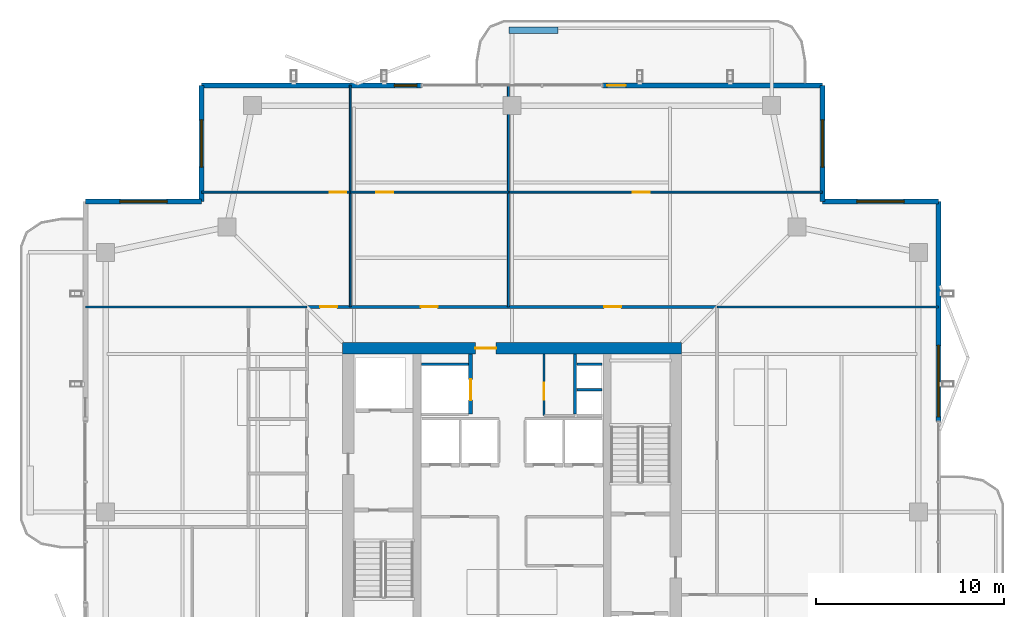
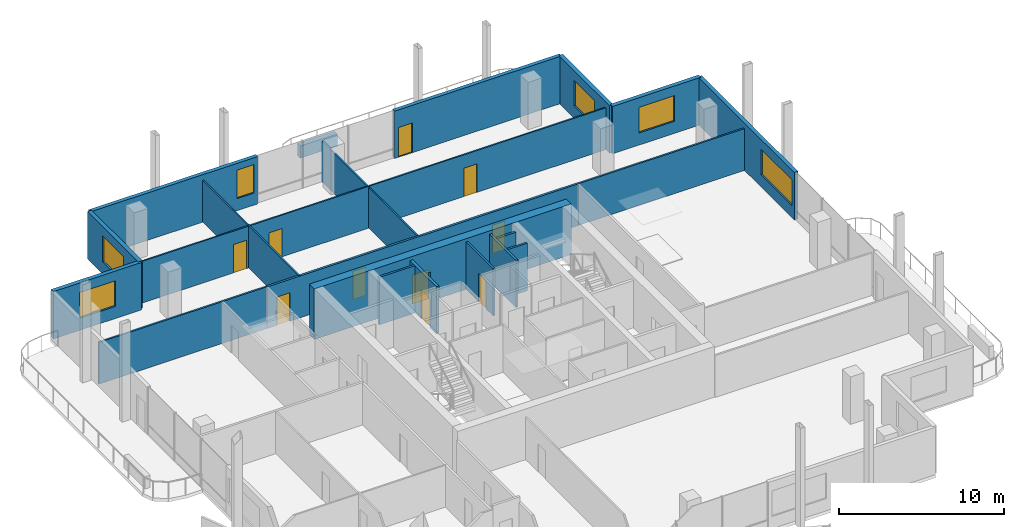
# One storey, part 16 of 20: 23 walls, 10 doors, 6 windows, 16 openings.
"""IFC4 building model written with IfcOpenShell, lengths in metres."""

import ifcopenshell
import ifcopenshell.guid

model = None  # the IFC model being written
_history = None  # IfcOwnerHistory: only IFC2X3 demands one
_inside = {}  # id of a spatial element -> (the spatial element, [elements in it])
_under = {}  # id of a project, library or spatial element -> (it, [spatial elements below it])
_declared = {}  # id of a project -> (the project, [libraries it declares])
_typed = {}  # id of a type object -> (the type object, [elements of that type])
_made_of = {}  # id of a material, layer set ... -> (it, [elements and type objects made of it])


def new_model(schema):
    """Start an empty IFC model of exactly this schema.

    Asked for "IFC4X3", IfcOpenShell would pick the latest addendum, in which some entities
    have other attributes; the version numbers below select the first issue.
    IFC2X3 requires an IfcOwnerHistory on every rooted entity: one is made here for all.
    """
    global model, _history
    if schema == "IFC4X3":
        model = ifcopenshell.file(schema_version=(4, 3, 0, 0))
    else:
        model = ifcopenshell.file(schema=schema)
    _inside.clear()
    _under.clear()
    _declared.clear()
    _typed.clear()
    _made_of.clear()
    _history = None
    if model.schema == "IFC2X3":
        org = make("IfcOrganization", Name="unknown")
        user = make(
            "IfcPersonAndOrganization",
            ThePerson=make("IfcPerson", FamilyName="unknown"),
            TheOrganization=org,
        )
        app = make(
            "IfcApplication",
            ApplicationDeveloper=org,
            Version="unknown",
            ApplicationFullName="unknown",
            ApplicationIdentifier="unknown",
        )
        _history = make(
            "IfcOwnerHistory",
            OwningUser=user,
            OwningApplication=app,
            ChangeAction="ADDED",
            CreationDate=0,
        )
    return model


def make(cls, **values):
    """One entity of the class cls with the attributes given. An attribute that is None is left unset."""
    return model.create_entity(
        cls, **{name: value for name, value in values.items() if value is not None}
    )


def rooted(cls, **values):
    """An entity with a GlobalId (a new one), such as an element, a storey or a relation."""
    return make(cls, GlobalId=ifcopenshell.guid.new(), OwnerHistory=_history, **values)


def si_unit(unit_type, name, prefix=None):
    """IfcSIUnit, for example si_unit("LENGTHUNIT", "METRE", prefix="MILLI")."""
    return make("IfcSIUnit", UnitType=unit_type, Prefix=prefix, Name=name)


def assignment(units):
    """IfcUnitAssignment: the units of a project."""
    return None if units is None else make("IfcUnitAssignment", Units=units)


def point(xyz):
    """IfcCartesianPoint."""
    return None if xyz is None else make("IfcCartesianPoint", Coordinates=xyz)


def direction(xyz):
    """IfcDirection."""
    return None if xyz is None else make("IfcDirection", DirectionRatios=xyz)


def frame(location, z_axis=None, x_axis=None):
    """IfcAxis2Placement3D, a coordinate frame: its origin and axes. An axis left out is left unset."""
    return make(
        "IfcAxis2Placement3D",
        Location=point(location),
        Axis=direction(z_axis),
        RefDirection=direction(x_axis),
    )


def frame_2d(location, x_axis=None):
    """IfcAxis2Placement2D, a coordinate frame in the plane: its origin and x axis."""
    return make(
        "IfcAxis2Placement2D", Location=point(location), RefDirection=direction(x_axis)
    )


def origin():
    """The frame at (0, 0, 0) with its axes left unset."""
    return frame((0.0, 0.0, 0.0))


def place(relative_to, where):
    """IfcLocalPlacement: puts the frame where relative to a parent placement (None: the world)."""
    return make(
        "IfcLocalPlacement", PlacementRelTo=relative_to, RelativePlacement=where
    )


def context(
    kind, dimensions, precision=None, world=None, true_north=None, identifier=None
):
    """IfcGeometricRepresentationContext, for example the 3D "Model" context."""
    return make(
        "IfcGeometricRepresentationContext",
        ContextIdentifier=identifier,
        ContextType=kind,
        CoordinateSpaceDimension=dimensions,
        Precision=precision,
        WorldCoordinateSystem=world,
        TrueNorth=true_north,
    )


def subcontext(parent, identifier, kind, view, scale=None):
    """IfcGeometricRepresentationSubContext, for example "Body" below "Model"."""
    return make(
        "IfcGeometricRepresentationSubContext",
        ContextIdentifier=identifier,
        ContextType=kind,
        ParentContext=parent,
        TargetScale=scale,
        TargetView=view,
    )


def project(units=None, contexts=None):
    """IfcProject with its units and contexts."""
    return rooted(
        "IfcProject",
        Name="project",
        RepresentationContexts=contexts,
        UnitsInContext=assignment(units),
    )


def spatial(cls, under=None, at=None, **own):
    """A site, building, storey or space (cls), placed at a placement, below another one or the project."""
    s = rooted(cls, ObjectPlacement=at, **own)
    if under is not None:
        _under.setdefault(under.id(), (under, []))[1].append(s)
    return s


def profile(cls, at=None, kind="AREA", **sizes):
    """A parametric profile (cls). Its sizes go by their IFC names, for example OverallWidth=200.0."""
    return make(cls, ProfileType=kind, Position=at, **sizes)


def rectangle(**sizes):
    """IfcRectangleProfileDef."""
    return profile("IfcRectangleProfileDef", **sizes)


def extrude(swept, where, along, depth):
    """IfcExtrudedAreaSolid: the profile swept, set in the frame where, extruded along a direction by depth."""
    return make(
        "IfcExtrudedAreaSolid",
        SweptArea=swept,
        Position=where,
        ExtrudedDirection=direction(along),
        Depth=depth,
    )


def shape(context_of_items, identifier, shape_type, items):
    """IfcShapeRepresentation: the items that make up one representation, for example the "Body"."""
    return make(
        "IfcShapeRepresentation",
        ContextOfItems=context_of_items,
        RepresentationIdentifier=identifier,
        RepresentationType=shape_type,
        Items=items,
    )


def material(Name=None, Category=None):
    """IfcMaterial."""
    return make("IfcMaterial", Name=Name, Category=Category)


def layer(
    of_material, thickness, ventilated=None, Name=None, Category=None, Priority=None
):
    """IfcMaterialLayer: one layer of a wall or slab, of a material (None: an air gap)."""
    return make(
        "IfcMaterialLayer",
        Material=of_material,
        LayerThickness=thickness,
        IsVentilated=ventilated,
        Name=Name,
        Category=Category,
        Priority=Priority,
    )


def layer_set(layers, Name=None):
    """IfcMaterialLayerSet."""
    return make("IfcMaterialLayerSet", MaterialLayers=layers, LayerSetName=Name)


def made_of(thing, what):
    """Note that an element or type object is made of a material, layer set ...; save() writes the relation."""
    if what is not None:
        _made_of.setdefault(what.id(), (what, []))[1].append(thing)
    return thing


def type_object(cls, material=None, **own):
    """A type object (cls), such as IfcWallType, which elements share."""
    return made_of(rooted(cls, **own), material)


def element(
    cls,
    number,
    at=None,
    inside=None,
    cuts=None,
    type_object=None,
    material=None,
    context=None,
    identifier="Body",
    shape_type=None,
    held_by="IfcProductDefinitionShape",
    body=None,
    shapes=None,
    **own,
):
    """One element of the class cls, such as IfcWall. Its Tag is "e" and its number.

    at: its placement. inside: the storey or other place that contains it. cuts: it is an
    opening in that element (IfcRelVoidsElement). A single representation is given by context,
    identifier, shape_type and body (its items); several are given by shapes. held_by: the class
    of the entity that holds the representations. save() writes the other relations.
    """
    e = rooted(cls, Tag="e%d" % number, ObjectPlacement=at, **own)
    if body is not None:
        shapes = [shape(context, identifier, shape_type, body)]
    if shapes is not None:
        e.Representation = make(held_by, Representations=shapes)
    if inside is not None:
        _inside.setdefault(inside.id(), (inside, []))[1].append(e)
    if cuts is not None:
        rooted(
            "IfcRelVoidsElement", RelatingBuildingElement=cuts, RelatedOpeningElement=e
        )
    if type_object is not None:
        _typed.setdefault(type_object.id(), (type_object, []))[1].append(e)
    return made_of(e, material)


def fill(opening, filler):
    """IfcRelFillsElement: the door or window that sits in an opening."""
    return rooted(
        "IfcRelFillsElement",
        RelatingOpeningElement=opening,
        RelatedBuildingElement=filler,
    )


def aggregate(whole, parts):
    """IfcRelAggregates: a whole, such as a stair, and the parts it consists of."""
    return rooted("IfcRelAggregates", RelatingObject=whole, RelatedObjects=parts)


def save(model, path):
    """Write the relations noted so far, then the file.

    IfcRelAggregates (storeys below a building ...), IfcRelContainedInSpatialStructure (elements
    in a storey), IfcRelDefinesByType, IfcRelAssociatesMaterial and IfcRelDeclares: one each for
    every whole, place, type object, material and project.
    """
    for whole, parts in _under.values():
        aggregate(whole, parts)
    for where, things in _inside.values():
        rooted(
            "IfcRelContainedInSpatialStructure",
            RelatedElements=things,
            RelatingStructure=where,
        )
    for kind, things in _typed.values():
        rooted("IfcRelDefinesByType", RelatedObjects=things, RelatingType=kind)
    for what, things in _made_of.values():
        rooted("IfcRelAssociatesMaterial", RelatedObjects=things, RelatingMaterial=what)
    for by, libraries in _declared.values():
        rooted("IfcRelDeclares", RelatingContext=by, RelatedDefinitions=libraries)
    model.write(path)


model = new_model("IFC4")

# Units and contexts
model_context = context("Model", 3, precision=1e-05, world=origin(), true_north=direction((0.0, 1.0)))
body_context = subcontext(model_context, "Body", "Model", "MODEL_VIEW")
ifc_project = project(units=[si_unit("LENGTHUNIT", "METRE"), si_unit("AREAUNIT", "SQUARE_METRE"), si_unit("VOLUMEUNIT", "CUBIC_METRE"), si_unit("PLANEANGLEUNIT", "RADIAN"), si_unit("MASSUNIT", "GRAM", prefix="KILO")], contexts=[model_context])

# Site, building, storey
site_placement = place(None, origin())
site = spatial("IfcSite", under=ifc_project, at=site_placement, CompositionType="ELEMENT")
building_placement = place(site_placement, origin())
building = spatial("IfcBuilding", under=site, at=building_placement, Name="Belovzor Exchange Tower", CompositionType="ELEMENT")
storey_placement = place(building_placement, frame((0.0, 0.0, 314.25)))
storey = spatial("IfcBuildingStorey", under=building, at=storey_placement, Name="L78", CompositionType="ELEMENT", Elevation=314.25)

# Walls
ifc_material_1 = material(Name="Acoustic Plasterboard on Galvanised Studs", Category="gypsum")
ifc_layer_1 = layer(ifc_material_1, 0.1201171875)
ifc_layer_set_1 = layer_set([ifc_layer_1], Name="Acoustic Plasterboard on Galvanised Studs")
wall_type_1 = type_object("IfcWallType", Name="Acoustic Double-Stud Partition Wall 120", PredefinedType="PARTITIONING", material=ifc_layer_set_1)
for number, where, z_axis, x_axis, name in (
    (1, (6.1298828125, 39.699951171875, 0.0), (0.0, 0.0, 1.0), (1.0, 0.0, 0.0), "W-P120 Partition Wall W-L78-END-NW"),
    (2, (39.699951171875, 39.699951171875, 0.0), (0.0, 0.0, 1.0), (1.0, 0.0, 0.0), "W-P120 Partition Wall W-L78-END-NE"),
):
    element("IfcWall", number, at=place(storey_placement, frame(where, z_axis=z_axis, x_axis=x_axis)), inside=storey, type_object=wall_type_1, Name=name, PredefinedType="PARTITIONING", context=body_context, shape_type="SweptSolid", body=[
        extrude(rectangle(XDim=11.77001953125, YDim=0.1201171875, at=frame_2d((5.885009765625, 0.0))), origin(), (0.0, 0.0, 1.0), 3.094970703125),
    ])

# Wall, opening, door
ifc_material_2 = material(Name="Acoustic Laminated Glass and Aluminium", Category="aluminium")
ifc_layer_2 = layer(ifc_material_2, 0.10009765625)
ifc_layer_set_2 = layer_set([ifc_layer_2], Name="Acoustic Laminated Glass and Aluminium")
wall_type_2 = type_object("IfcWallType", Name="Demountable Executive Glass Partition 100", PredefinedType="MOVABLE", material=ifc_layer_set_2)
wall_1_placement = place(storey_placement, frame((12.300048828125, 45.802978515625, 0.0), z_axis=(0.0, 0.0, 1.0), x_axis=(1.0, 0.0, 0.0)))
wall_1 = element("IfcWall", 3, at=wall_1_placement, inside=storey, type_object=wall_type_2, Name="W-M100 Partition Wall W-L78-NHDIV-0", PredefinedType="MOVABLE", context=body_context, shape_type="SweptSolid", body=[
    extrude(rectangle(XDim=7.89990234375, YDim=0.10009765625, at=frame_2d((3.949951171875, 0.0))), origin(), (0.0, 0.0, 1.0), 3.094970703125),
])
opening_1_placement = place(wall_1_placement, frame((6.800048828125, 0.0, 0.0)))
opening_1 = element("IfcOpeningElement", 4, at=opening_1_placement, cuts=wall_1, Name="Opening D-INT-090", PredefinedType="OPENING", context=body_context, shape_type="SweptSolid", body=[
    extrude(rectangle(XDim=0.89990234375, YDim=2.10009765625, at=frame_2d((0.449951171875, 1.050048828125))), frame((0.0, 0.06005859375, 0.0), z_axis=(0.0, -1.0, 0.0), x_axis=(1.0, 0.0, 0.0)), (0.0, 0.0, 1.0), 0.1201171875),
])
ifc_material_3 = material(Name="Veneered Hardwood Acoustic Leaf", Category="wood")
door_type_1 = type_object("IfcDoorType", Name="Trading Suite Acoustic Single Door 900x2100", OperationType="NOTDEFINED", PredefinedType="DOOR", material=ifc_material_3)
door_1_placement = place(opening_1_placement, origin())
door_1 = element("IfcDoor", 5, at=door_1_placement, inside=storey, type_object=door_type_1, Name="D-INT-090 Trading Suite Acoustic Single Door 900x2100", OperationType="SINGLE_SWING_RIGHT", OverallHeight=2.10009765625, OverallWidth=0.89990234375, PredefinedType="DOOR", context=body_context, shape_type="SweptSolid", body=[
    extrude(rectangle(XDim=0.89990234375, YDim=2.10009765625, at=frame_2d((0.449951171875, 1.050048828125))), frame((0.0, 0.02490234375, 0.0), z_axis=(0.0, -1.0, 0.0), x_axis=(1.0, 0.0, 0.0)), (0.0, 0.0, 1.0), 0.050048828125),
])
fill(opening_1, door_1)

# Wall
wall_2_placement = place(storey_placement, frame((20.199951171875, 39.699951171875, 0.0), z_axis=(0.0, 0.0, 1.0), x_axis=(0.0, 1.0, 0.0)))
element("IfcWall", 6, at=wall_2_placement, inside=storey, type_object=wall_type_2, Name="W-M100 Partition Wall W-L78-NDIV-1", PredefinedType="MOVABLE", context=body_context, shape_type="SweptSolid", body=[
    extrude(rectangle(XDim=11.77001953125, YDim=0.10009765625, at=frame_2d((5.885009765625, 0.0))), origin(), (0.0, 0.0, 1.0), 3.094970703125),
])

# Wall, opening, door
wall_3_placement = place(storey_placement, frame((20.199951171875, 45.802978515625, 0.0), z_axis=(0.0, 0.0, 1.0), x_axis=(1.0, 0.0, 0.0)))
wall_3 = element("IfcWall", 7, at=wall_3_placement, inside=storey, type_object=wall_type_2, Name="W-M100 Partition Wall W-L78-NHDIV-1", PredefinedType="MOVABLE", context=body_context, shape_type="SweptSolid", body=[
    extrude(rectangle(XDim=8.405029296875, YDim=0.10009765625, at=frame_2d((4.20263671875, 0.0))), origin(), (0.0, 0.0, 1.0), 3.094970703125),
])
opening_2_placement = place(wall_3_placement, frame((1.384033203125, 0.0, 0.0)))
opening_2 = element("IfcOpeningElement", 8, at=opening_2_placement, cuts=wall_3, Name="Opening D-INT-090", PredefinedType="OPENING", context=body_context, shape_type="SweptSolid", body=[
    extrude(rectangle(XDim=0.89990234375, YDim=2.10009765625, at=frame_2d((0.449951171875, 1.050048828125))), frame((0.0, 0.06005859375, 0.0), z_axis=(0.0, -1.0, 0.0), x_axis=(1.0, 0.0, 0.0)), (0.0, 0.0, 1.0), 0.1201171875),
])
door_2_placement = place(opening_2_placement, origin())
door_2 = element("IfcDoor", 9, at=door_2_placement, inside=storey, type_object=door_type_1, Name="D-INT-090 Trading Suite Acoustic Single Door 900x2100", OperationType="SINGLE_SWING_RIGHT", OverallHeight=2.10009765625, OverallWidth=0.89990234375, PredefinedType="DOOR", context=body_context, shape_type="SweptSolid", body=[
    extrude(rectangle(XDim=0.89990234375, YDim=2.10009765625, at=frame_2d((0.449951171875, 1.050048828125))), frame((0.0, 0.02490234375, 0.0), z_axis=(0.0, -1.0, 0.0), x_axis=(1.0, 0.0, 0.0)), (0.0, 0.0, 1.0), 0.050048828125),
])
fill(opening_2, door_2)

# Wall
wall_4_placement = place(storey_placement, frame((28.60498046875, 39.699951171875, 0.0), z_axis=(0.0, 0.0, 1.0), x_axis=(0.0, 1.0, 0.0)))
element("IfcWall", 10, at=wall_4_placement, inside=storey, type_object=wall_type_2, Name="W-M100 Partition Wall W-L78-NDIV-2", PredefinedType="MOVABLE", context=body_context, shape_type="SweptSolid", body=[
    extrude(rectangle(XDim=11.77001953125, YDim=0.10009765625, at=frame_2d((5.885009765625, 0.0))), origin(), (0.0, 0.0, 1.0), 2.9951171875),
])

# Wall, opening, door
wall_5_placement = place(storey_placement, frame((28.60498046875, 45.802978515625, 0.0), z_axis=(0.0, 0.0, 1.0), x_axis=(1.0, 0.0, 0.0)))
wall_5 = element("IfcWall", 11, at=wall_5_placement, inside=storey, type_object=wall_type_2, Name="W-M100 Partition Wall W-L78-NHDIV-2", PredefinedType="MOVABLE", context=body_context, shape_type="SweptSolid", body=[
    extrude(rectangle(XDim=16.695068359375, YDim=0.10009765625, at=frame_2d((8.34765625, 0.0))), origin(), (0.0, 0.0, 1.0), 3.094970703125),
])
opening_3_placement = place(wall_5_placement, frame((6.614990234375, 0.0, 0.0)))
opening_3 = element("IfcOpeningElement", 12, at=opening_3_placement, cuts=wall_5, Name="Opening D-INT-090", PredefinedType="OPENING", context=body_context, shape_type="SweptSolid", body=[
    extrude(rectangle(XDim=0.89990234375, YDim=2.10009765625, at=frame_2d((0.449951171875, 1.050048828125))), frame((0.0, 0.06005859375, 0.0), z_axis=(0.0, -1.0, 0.0), x_axis=(1.0, 0.0, 0.0)), (0.0, 0.0, 1.0), 0.1201171875),
])
door_3_placement = place(opening_3_placement, origin())
door_3 = element("IfcDoor", 13, at=door_3_placement, inside=storey, type_object=door_type_1, Name="D-INT-090 Trading Suite Acoustic Single Door 900x2100", OperationType="SINGLE_SWING_RIGHT", OverallHeight=2.10009765625, OverallWidth=0.89990234375, PredefinedType="DOOR", context=body_context, shape_type="SweptSolid", body=[
    extrude(rectangle(XDim=0.89990234375, YDim=2.10009765625, at=frame_2d((0.449951171875, 1.050048828125))), frame((0.0, 0.02490234375, 0.0), z_axis=(0.0, -1.0, 0.0), x_axis=(1.0, 0.0, 0.0)), (0.0, 0.0, 1.0), 0.050048828125),
])
fill(opening_3, door_3)

ifc_material_4 = material(Name="Fire-Rated Plasterboard on Galvanised Studs", Category="gypsum")
ifc_layer_3 = layer(ifc_material_4, 0.1201171875)
ifc_layer_set_3 = layer_set([ifc_layer_3], Name="Fire-Rated Plasterboard on Galvanised Studs")
wall_type_3 = type_object("IfcWallType", Name="Fire-Rated Double-Stud Partition Wall 120", PredefinedType="PARTITIONING", material=ifc_layer_set_3)
wall_6_placement = place(storey_placement, frame((30.5, 33.925048828125, 0.0), z_axis=(0.0, 0.0, 1.0), x_axis=(0.0, 1.0, 0.0)))
wall_6 = element("IfcWall", 14, at=wall_6_placement, inside=storey, type_object=wall_type_3, Name="W-P120F Partition Wall W-CRV-L78-W", PredefinedType="PARTITIONING", context=body_context, shape_type="SweptSolid", body=[
    extrude(rectangle(XDim=3.27490234375, YDim=0.1201171875, at=frame_2d((1.637451171875, 0.0))), origin(), (0.0, 0.0, 1.0), 3.510009765625),
])
opening_4_placement = place(wall_6_placement, frame((0.85009765625, 0.0, 0.0)))
opening_4 = element("IfcOpeningElement", 15, at=opening_4_placement, cuts=wall_6, Name="Opening D-FD60-090", PredefinedType="OPENING", context=body_context, shape_type="SweptSolid", body=[
    extrude(rectangle(XDim=0.89990234375, YDim=2.10009765625, at=frame_2d((0.449951171875, 1.050048828125))), frame((0.0, 0.070068359375, 0.0), z_axis=(0.0, -1.0, 0.0), x_axis=(1.0, 0.0, 0.0)), (0.0, 0.0, 1.0), 0.14013671875),
])
ifc_material_5 = material(Name="Acoustic Timber Fire Leaf", Category="wood")
door_type_2 = type_object("IfcDoorType", Name="Core Service & Restroom Fire Door 900x2100", OperationType="NOTDEFINED", PredefinedType="DOOR", material=ifc_material_5)
door_4_placement = place(opening_4_placement, origin())
door_4 = element("IfcDoor", 16, at=door_4_placement, inside=storey, type_object=door_type_2, Name="D-FD60-090 Core Service & Restroom Fire Door 900x2100", OperationType="SINGLE_SWING_LEFT", OverallHeight=2.10009765625, OverallWidth=0.89990234375, PredefinedType="DOOR", context=body_context, shape_type="SweptSolid", body=[
    extrude(rectangle(XDim=0.89990234375, YDim=2.10009765625, at=frame_2d((0.449951171875, 1.050048828125))), frame((0.0, 0.02490234375, 0.0), z_axis=(0.0, -1.0, 0.0), x_axis=(1.0, 0.0, 0.0)), (0.0, 0.0, 1.0), 0.050048828125),
])
fill(opening_4, door_4)

# Wall, openings, doors
ifc_material_6 = material(Name="Fire-Rated Gypsum Block and Mineral Wool", Category="gypsum")
ifc_layer_4 = layer(ifc_material_6, 0.14990234375)
ifc_layer_set_4 = layer_set([ifc_layer_4], Name="Fire-Rated Gypsum Block and Mineral Wool")
wall_type_4 = type_object("IfcWallType", Name="Fire-Rated Gypsum Block Corridor Wall 150", PredefinedType="PARTITIONING", material=ifc_layer_set_4)
wall_7_placement = place(storey_placement, frame((17.89990234375, 39.699951171875, 0.0), z_axis=(0.0, 0.0, 1.0), x_axis=(1.0, 0.0, 0.0)))
wall_7 = element("IfcWall", 17, at=wall_7_placement, inside=storey, type_object=wall_type_4, Name="W-P150 Partition Wall W-L78-CN", PredefinedType="PARTITIONING", context=body_context, shape_type="SweptSolid", body=[
    extrude(rectangle(XDim=21.800048828125, YDim=0.14990234375, at=frame_2d((10.89990234375, 0.0))), origin(), (0.0, 0.0, 1.0), 3.094970703125),
])
opening_5_placement = place(wall_7_placement, frame((0.699951171875, 0.0, 0.0)))
opening_5 = element("IfcOpeningElement", 18, at=opening_5_placement, cuts=wall_7, Name="Opening D-INT-090", PredefinedType="OPENING", context=body_context, shape_type="SweptSolid", body=[
    extrude(rectangle(XDim=0.89990234375, YDim=2.10009765625, at=frame_2d((0.449951171875, 1.050048828125))), frame((0.0, 0.0849609375, 0.0), z_axis=(0.0, -1.0, 0.0), x_axis=(1.0, 0.0, 0.0)), (0.0, 0.0, 1.0), 0.169921875),
])
opening_6_placement = place(wall_7_placement, frame((6.052978515625, 0.0, 0.0)))
opening_6 = element("IfcOpeningElement", 19, at=opening_6_placement, cuts=wall_7, Name="Opening D-INT-090", PredefinedType="OPENING", context=body_context, shape_type="SweptSolid", body=[
    extrude(rectangle(XDim=0.89990234375, YDim=2.10009765625, at=frame_2d((0.449951171875, 1.050048828125))), frame((0.0, 0.0849609375, 0.0), z_axis=(0.0, -1.0, 0.0), x_axis=(1.0, 0.0, 0.0)), (0.0, 0.0, 1.0), 0.169921875),
])
opening_7_placement = place(wall_7_placement, frame((15.802978515625, 0.0, 0.0)))
opening_7 = element("IfcOpeningElement", 20, at=opening_7_placement, cuts=wall_7, Name="Opening D-INT-090", PredefinedType="OPENING", context=body_context, shape_type="SweptSolid", body=[
    extrude(rectangle(XDim=0.89990234375, YDim=2.10009765625, at=frame_2d((0.449951171875, 1.050048828125))), frame((0.0, 0.0849609375, 0.0), z_axis=(0.0, -1.0, 0.0), x_axis=(1.0, 0.0, 0.0)), (0.0, 0.0, 1.0), 0.169921875),
])
door_5_placement = place(opening_5_placement, origin())
door_5 = element("IfcDoor", 21, at=door_5_placement, inside=storey, type_object=door_type_1, Name="D-INT-090 Trading Suite Acoustic Single Door 900x2100", OperationType="SINGLE_SWING_RIGHT", OverallHeight=2.10009765625, OverallWidth=0.89990234375, PredefinedType="DOOR", context=body_context, shape_type="SweptSolid", body=[
    extrude(rectangle(XDim=0.89990234375, YDim=2.10009765625, at=frame_2d((0.449951171875, 1.050048828125))), frame((0.0, 0.02490234375, 0.0), z_axis=(0.0, -1.0, 0.0), x_axis=(1.0, 0.0, 0.0)), (0.0, 0.0, 1.0), 0.050048828125),
])
fill(opening_5, door_5)
door_6_placement = place(opening_6_placement, origin())
door_6 = element("IfcDoor", 22, at=door_6_placement, inside=storey, type_object=door_type_1, Name="D-INT-090 Trading Suite Acoustic Single Door 900x2100", OperationType="SINGLE_SWING_LEFT", OverallHeight=2.10009765625, OverallWidth=0.89990234375, PredefinedType="DOOR", context=body_context, shape_type="SweptSolid", body=[
    extrude(rectangle(XDim=0.89990234375, YDim=2.10009765625, at=frame_2d((0.449951171875, 1.050048828125))), frame((0.0, 0.02490234375, 0.0), z_axis=(0.0, -1.0, 0.0), x_axis=(1.0, 0.0, 0.0)), (0.0, 0.0, 1.0), 0.050048828125),
])
fill(opening_6, door_6)
door_7_placement = place(opening_7_placement, origin())
door_7 = element("IfcDoor", 23, at=door_7_placement, inside=storey, type_object=door_type_1, Name="D-INT-090 Trading Suite Acoustic Single Door 900x2100", OperationType="SINGLE_SWING_RIGHT", OverallHeight=2.10009765625, OverallWidth=0.89990234375, PredefinedType="DOOR", context=body_context, shape_type="SweptSolid", body=[
    extrude(rectangle(XDim=0.89990234375, YDim=2.10009765625, at=frame_2d((0.449951171875, 1.050048828125))), frame((0.0, 0.02490234375, 0.0), z_axis=(0.0, -1.0, 0.0), x_axis=(1.0, 0.0, 0.0)), (0.0, 0.0, 1.0), 0.050048828125),
])
fill(opening_7, door_7)

# Wall, opening, window
ifc_material_7 = material(Name="Precast concrete C40/50", Category="concrete")
ifc_layer_5 = layer(ifc_material_7, 0.280029296875)
ifc_layer_set_5 = layer_set([ifc_layer_5], Name="Precast concrete C40/50")
wall_type_5 = type_object("IfcWallType", Name="Precast Concrete Notched Corner Frame Wall 280", PredefinedType="SOLIDWALL", material=ifc_layer_set_5)
wall_8_placement = place(storey_placement, frame((6.1298828125, 45.300048828125, 0.0), z_axis=(0.0, 0.0, 1.0), x_axis=(1.0, 0.0, 0.0)))
wall_8 = element("IfcWall", 24, at=wall_8_placement, inside=storey, type_object=wall_type_5, Name="W-CRN280 Precast Concrete Notched Corner Frame Wall 280 L78", PredefinedType="SOLIDWALL", context=body_context, shape_type="SweptSolid", body=[
    extrude(rectangle(XDim=6.170166015625, YDim=0.280029296875, at=frame_2d((3.0849609375, 0.0))), origin(), (0.0, 0.0, 1.0), 3.510009765625),
])
opening_8_placement = place(wall_8_placement, frame((1.8349609375, 0.0, 0.89990234375)))
opening_8 = element("IfcOpeningElement", 25, at=opening_8_placement, cuts=wall_8, Name="Opening WN-CRN250", PredefinedType="OPENING", context=body_context, shape_type="SweptSolid", body=[
    extrude(rectangle(XDim=2.5, YDim=1.89990234375, at=frame_2d((1.25, 0.949951171875))), frame((0.0, 0.14990234375, 0.0), z_axis=(0.0, -1.0, 0.0), x_axis=(1.0, 0.0, 0.0)), (0.0, 0.0, 1.0), 0.300048828125),
])
ifc_material_8 = material(Name="Thermally Broken Aluminium and Triple Glazing", Category="aluminium")
window_type_1 = type_object("IfcWindowType", Name="Streamline Moderne Corner Wrap Ribbon Window 2500x1900", PartitioningType="SINGLE_PANEL", PredefinedType="WINDOW", material=ifc_material_8)
window_1_placement = place(opening_8_placement, origin())
window_1 = element("IfcWindow", 26, at=window_1_placement, inside=storey, type_object=window_type_1, Name="WN-CRN250 Streamline Moderne Corner Wrap Ribbon Window 2500x1900", OverallHeight=1.89990234375, OverallWidth=2.5, PartitioningType="SINGLE_PANEL", PredefinedType="WINDOW", context=body_context, shape_type="SweptSolid", body=[
    extrude(rectangle(XDim=2.5, YDim=1.89990234375, at=frame_2d((1.25, 0.949951171875))), frame((0.0, 0.030029296875, 0.0), z_axis=(0.0, -1.0, 0.0), x_axis=(1.0, 0.0, 0.0)), (0.0, 0.0, 1.0), 0.06005859375),
])
fill(opening_8, window_1)

wall_9_placement = place(storey_placement, frame((12.300048828125, 45.300048828125, 0.0), z_axis=(0.0, 0.0, 1.0), x_axis=(0.0, 1.0, 0.0)))
wall_9 = element("IfcWall", 27, at=wall_9_placement, inside=storey, type_object=wall_type_5, Name="W-CRN280 Precast Concrete Notched Corner Frame Wall 280 L78", PredefinedType="SOLIDWALL", context=body_context, shape_type="SweptSolid", body=[
    extrude(rectangle(XDim=6.169921875, YDim=0.280029296875, at=frame_2d((3.0849609375, 0.0))), origin(), (0.0, 0.0, 1.0), 3.510009765625),
])
opening_9_placement = place(wall_9_placement, frame((1.8349609375, 0.0, 0.89990234375)))
opening_9 = element("IfcOpeningElement", 28, at=opening_9_placement, cuts=wall_9, Name="Opening WN-CRN250", PredefinedType="OPENING", context=body_context, shape_type="SweptSolid", body=[
    extrude(rectangle(XDim=2.5, YDim=1.89990234375, at=frame_2d((1.25, 0.949951171875))), frame((0.0, 0.14990234375, 0.0), z_axis=(0.0, -1.0, 0.0), x_axis=(1.0, 0.0, 0.0)), (0.0, 0.0, 1.0), 0.300048828125),
])
window_2_placement = place(opening_9_placement, origin())
window_2 = element("IfcWindow", 29, at=window_2_placement, inside=storey, type_object=window_type_1, Name="WN-CRN250 Streamline Moderne Corner Wrap Ribbon Window 2500x1900", OverallHeight=1.89990234375, OverallWidth=2.5, PartitioningType="SINGLE_PANEL", PredefinedType="WINDOW", context=body_context, shape_type="SweptSolid", body=[
    extrude(rectangle(XDim=2.5, YDim=1.89990234375, at=frame_2d((1.25, 0.949951171875))), frame((0.0, 0.030029296875, 0.0), z_axis=(0.0, -1.0, 0.0), x_axis=(1.0, 0.0, 0.0)), (0.0, 0.0, 1.0), 0.06005859375),
])
fill(opening_9, window_2)

wall_10_placement = place(storey_placement, frame((45.300048828125, 51.469970703125, 0.0), z_axis=(0.0, 0.0, 1.0), x_axis=(0.0, -1.0, 0.0)))
wall_10 = element("IfcWall", 30, at=wall_10_placement, inside=storey, type_object=wall_type_5, Name="W-CRN280 Precast Concrete Notched Corner Frame Wall 280 L78", PredefinedType="SOLIDWALL", context=body_context, shape_type="SweptSolid", body=[
    extrude(rectangle(XDim=6.169921875, YDim=0.280029296875, at=frame_2d((3.0849609375, 0.0))), origin(), (0.0, 0.0, 1.0), 3.510009765625),
])
opening_10_placement = place(wall_10_placement, frame((1.8349609375, 0.0, 0.89990234375)))
opening_10 = element("IfcOpeningElement", 31, at=opening_10_placement, cuts=wall_10, Name="Opening WN-CRN250", PredefinedType="OPENING", context=body_context, shape_type="SweptSolid", body=[
    extrude(rectangle(XDim=2.5, YDim=1.89990234375, at=frame_2d((1.25, 0.949951171875))), frame((0.0, 0.14990234375, 0.0), z_axis=(0.0, -1.0, 0.0), x_axis=(1.0, 0.0, 0.0)), (0.0, 0.0, 1.0), 0.300048828125),
])
window_3_placement = place(opening_10_placement, origin())
window_3 = element("IfcWindow", 32, at=window_3_placement, inside=storey, type_object=window_type_1, Name="WN-CRN250 Streamline Moderne Corner Wrap Ribbon Window 2500x1900", OverallHeight=1.89990234375, OverallWidth=2.5, PartitioningType="SINGLE_PANEL", PredefinedType="WINDOW", context=body_context, shape_type="SweptSolid", body=[
    extrude(rectangle(XDim=2.5, YDim=1.89990234375, at=frame_2d((1.25, 0.949951171875))), frame((0.0, 0.030029296875, 0.0), z_axis=(0.0, -1.0, 0.0), x_axis=(1.0, 0.0, 0.0)), (0.0, 0.0, 1.0), 0.06005859375),
])
fill(opening_10, window_3)

wall_11_placement = place(storey_placement, frame((45.300048828125, 45.300048828125, 0.0), z_axis=(0.0, 0.0, 1.0), x_axis=(1.0, 0.0, 0.0)))
wall_11 = element("IfcWall", 33, at=wall_11_placement, inside=storey, type_object=wall_type_5, Name="W-CRN280 Precast Concrete Notched Corner Frame Wall 280 L78", PredefinedType="SOLIDWALL", context=body_context, shape_type="SweptSolid", body=[
    extrude(rectangle(XDim=6.169921875, YDim=0.280029296875, at=frame_2d((3.0849609375, 0.0))), origin(), (0.0, 0.0, 1.0), 3.510009765625),
])
opening_11_placement = place(wall_11_placement, frame((1.8349609375, 0.0, 0.89990234375)))
opening_11 = element("IfcOpeningElement", 34, at=opening_11_placement, cuts=wall_11, Name="Opening WN-CRN250", PredefinedType="OPENING", context=body_context, shape_type="SweptSolid", body=[
    extrude(rectangle(XDim=2.5, YDim=1.89990234375, at=frame_2d((1.25, 0.949951171875))), frame((0.0, 0.14990234375, 0.0), z_axis=(0.0, -1.0, 0.0), x_axis=(1.0, 0.0, 0.0)), (0.0, 0.0, 1.0), 0.300048828125),
])
window_4_placement = place(opening_11_placement, origin())
window_4 = element("IfcWindow", 35, at=window_4_placement, inside=storey, type_object=window_type_1, Name="WN-CRN250 Streamline Moderne Corner Wrap Ribbon Window 2500x1900", OverallHeight=1.89990234375, OverallWidth=2.5, PartitioningType="SINGLE_PANEL", PredefinedType="WINDOW", context=body_context, shape_type="SweptSolid", body=[
    extrude(rectangle(XDim=2.5, YDim=1.89990234375, at=frame_2d((1.25, 0.949951171875))), frame((0.0, 0.030029296875, 0.0), z_axis=(0.0, -1.0, 0.0), x_axis=(1.0, 0.0, 0.0)), (0.0, 0.0, 1.0), 0.06005859375),
])
fill(opening_11, window_4)

ifc_material_9 = material(Name="Precast concrete C40/50", Category="concrete")
ifc_layer_6 = layer(ifc_material_9, 0.260009765625)
ifc_layer_set_6 = layer_set([ifc_layer_6], Name="Precast concrete C40/50")
wall_type_6 = type_object("IfcWallType", Name="Precast Concrete Perimeter Loggia Frame Wall 260", PredefinedType="SOLIDWALL", material=ifc_layer_set_6)
wall_12_placement = place(storey_placement, frame((12.300048828125, 51.469970703125, 0.0), z_axis=(0.0, 0.0, 1.0), x_axis=(1.0, 0.0, 0.0)))
wall_12 = element("IfcWall", 36, at=wall_12_placement, inside=storey, type_object=wall_type_6, Name="W-EXT260 Precast Concrete Perimeter Loggia Frame Wall 260 L78", PredefinedType="SOLIDWALL", context=body_context, shape_type="SweptSolid", body=[
    extrude(rectangle(XDim=11.699951171875, YDim=0.260009765625, at=frame_2d((5.85009765625, 0.0))), origin(), (0.0, 0.0, 1.0), 3.510009765625),
])
opening_12_placement = place(wall_12_placement, frame((10.25, 0.0, 0.89990234375)))
opening_12 = element("IfcOpeningElement", 37, at=opening_12_placement, cuts=wall_12, Name="Opening WN-CRN120", PredefinedType="OPENING", context=body_context, shape_type="SweptSolid", body=[
    extrude(rectangle(XDim=1.199951171875, YDim=2.10009765625, at=frame_2d((0.60009765625, 1.050048828125))), frame((0.0, 0.139892578125, 0.0), z_axis=(0.0, -1.0, 0.0), x_axis=(1.0, 0.0, 0.0)), (0.0, 0.0, 1.0), 0.280029296875),
])
ifc_material_10 = material(Name="Thermally Broken Aluminium and Triple Glazing", Category="aluminium")
window_type_2 = type_object("IfcWindowType", Name="Streamline Notched Corner Window 1200x2100", PartitioningType="SINGLE_PANEL", PredefinedType="WINDOW", material=ifc_material_10)
window_5_placement = place(opening_12_placement, origin())
window_5 = element("IfcWindow", 38, at=window_5_placement, inside=storey, type_object=window_type_2, Name="WN-CRN120 Streamline Notched Corner Window 1200x2100", OverallHeight=2.10009765625, OverallWidth=1.199951171875, PartitioningType="SINGLE_PANEL", PredefinedType="WINDOW", context=body_context, shape_type="SweptSolid", body=[
    extrude(rectangle(XDim=1.199951171875, YDim=2.10009765625, at=frame_2d((0.60009765625, 1.050048828125))), frame((0.0, 0.030029296875, 0.0), z_axis=(0.0, -1.0, 0.0), x_axis=(1.0, 0.0, 0.0)), (0.0, 0.0, 1.0), 0.06005859375),
])
fill(opening_12, window_5)

# Wall, opening, door
wall_13_placement = place(storey_placement, frame((33.60009765625, 51.469970703125, 0.0), z_axis=(0.0, 0.0, 1.0), x_axis=(1.0, 0.0, 0.0)))
wall_13 = element("IfcWall", 39, at=wall_13_placement, inside=storey, type_object=wall_type_6, Name="W-EXT260 Precast Concrete Perimeter Loggia Frame Wall 260 L78", PredefinedType="SOLIDWALL", context=body_context, shape_type="SweptSolid", body=[
    extrude(rectangle(XDim=11.699951171875, YDim=0.260009765625, at=frame_2d((5.85009765625, 0.0))), origin(), (0.0, 0.0, 1.0), 3.510009765625),
])
opening_13_placement = place(wall_13_placement, frame((0.25, 0.0, 0.0)))
opening_13 = element("IfcOpeningElement", 40, at=opening_13_placement, cuts=wall_13, Name="Opening D-BAL100", PredefinedType="OPENING", context=body_context, shape_type="SweptSolid", body=[
    extrude(rectangle(XDim=1.0, YDim=2.199951171875, at=frame_2d((0.5, 1.10009765625))), frame((0.0, 0.139892578125, 0.0), z_axis=(0.0, -1.0, 0.0), x_axis=(1.0, 0.0, 0.0)), (0.0, 0.0, 1.0), 0.280029296875),
])
ifc_material_11 = material(Name="Thermally Broken Anodised Aluminium and Laminated Glass", Category="aluminium")
door_type_3 = type_object("IfcDoorType", Name="Planted Loggia Terrace Glazed Door 1000x2200", OperationType="SINGLE_SWING_LEFT", PredefinedType="DOOR", material=ifc_material_11)
door_8_placement = place(opening_13_placement, origin())
door_8 = element("IfcDoor", 41, at=door_8_placement, inside=storey, type_object=door_type_3, Name="D-BAL100 Balcony Terrace Door L78 N", OperationType="SINGLE_SWING_RIGHT", OverallHeight=2.199951171875, OverallWidth=1.0, PredefinedType="DOOR", context=body_context, shape_type="SweptSolid", body=[
    extrude(rectangle(XDim=1.0, YDim=2.199951171875, at=frame_2d((0.5, 1.10009765625))), frame((0.0, 0.02490234375, 0.0), z_axis=(0.0, -1.0, 0.0), x_axis=(1.0, 0.0, 0.0)), (0.0, 0.0, 1.0), 0.050048828125),
])
fill(opening_13, door_8)

# Wall, opening, window
wall_14_placement = place(storey_placement, frame((51.469970703125, 45.300048828125, 0.0), z_axis=(0.0, 0.0, 1.0), x_axis=(0.0, -1.0, 0.0)))
wall_14 = element("IfcWall", 42, at=wall_14_placement, inside=storey, type_object=wall_type_6, Name="W-EXT260 Precast Concrete Perimeter Loggia Frame Wall 260 L78", PredefinedType="SOLIDWALL", context=body_context, shape_type="SweptSolid", body=[
    extrude(rectangle(XDim=11.699951171875, YDim=0.260009765625, at=frame_2d((5.85009765625, 0.0))), origin(), (0.0, 0.0, 1.0), 3.510009765625),
])
opening_14_placement = place(wall_14_placement, frame((7.64990234375, 0.0, 0.89990234375)))
opening_14 = element("IfcOpeningElement", 43, at=opening_14_placement, cuts=wall_14, Name="Opening WN-RIB380", PredefinedType="OPENING", context=body_context, shape_type="SweptSolid", body=[
    extrude(rectangle(XDim=3.800048828125, YDim=1.89990234375, at=frame_2d((1.89990234375, 0.949951171875))), frame((0.0, 0.139892578125, 0.0), z_axis=(0.0, -1.0, 0.0), x_axis=(1.0, 0.0, 0.0)), (0.0, 0.0, 1.0), 0.280029296875),
])
ifc_material_12 = material(Name="Thermally Broken Aluminium and Triple Glazing", Category="aluminium")
window_type_3 = type_object("IfcWindowType", Name="Streamline Moderne Horizontal Ribbon Window 3800x1900", PartitioningType="SINGLE_PANEL", PredefinedType="WINDOW", material=ifc_material_12)
window_6_placement = place(opening_14_placement, origin())
window_6 = element("IfcWindow", 44, at=window_6_placement, inside=storey, type_object=window_type_3, Name="WN-RIB380 Streamline Moderne Horizontal Ribbon Window 3800x1900", OverallHeight=1.89990234375, OverallWidth=3.800048828125, PartitioningType="SINGLE_PANEL", PredefinedType="WINDOW", context=body_context, shape_type="SweptSolid", body=[
    extrude(rectangle(XDim=3.800048828125, YDim=1.89990234375, at=frame_2d((1.89990234375, 0.949951171875))), frame((0.0, 0.030029296875, 0.0), z_axis=(0.0, -1.0, 0.0), x_axis=(1.0, 0.0, 0.0)), (0.0, 0.0, 1.0), 0.06005859375),
])
fill(opening_14, window_6)

# Walls
ifc_material_13 = material(Name="Precast concrete C40/50", Category="concrete")
ifc_layer_7 = layer(ifc_material_13, 0.35009765625)
ifc_layer_set_7 = layer_set([ifc_layer_7], Name="Precast concrete C40/50")
wall_type_7 = type_object("IfcWallType", Name="Precast Concrete Structural Tree Planter Trough 350", PredefinedType="PARAPET", material=ifc_layer_set_7)
wall_15_placement = place(storey_placement, frame((28.64990234375, 54.39990234375, 0.0), z_axis=(0.0, 0.0, 1.0), x_axis=(1.0, 0.0, 0.0)))
element("IfcWall", 45, at=wall_15_placement, inside=storey, type_object=wall_type_7, Name="PT-350 Precast Concrete Structural Tree Planter Trough 350 L78", PredefinedType="PARAPET", context=body_context, shape_type="SweptSolid", body=[
    extrude(rectangle(XDim=2.60009765625, YDim=0.35009765625, at=frame_2d((1.300048828125, 0.0))), origin(), (0.0, 0.0, 1.0), 0.89990234375),
])
ifc_material_14 = material(Name="Concrete C50/60", Category="concrete")
ifc_layer_8 = layer(ifc_material_14, 0.14990234375)
ifc_layer_set_8 = layer_set([ifc_layer_8], Name="Concrete C50/60")
wall_type_8 = type_object("IfcWallType", Name="Reinforced Concrete Core Riser Shear Wall 150", PredefinedType="SHEAR", material=ifc_layer_set_8)
wall_16_placement = place(storey_placement, frame((32.14990234375, 34.0, 0.0), z_axis=(0.0, 0.0, 1.0), x_axis=(0.0, 1.0, 0.0)))
element("IfcWall", 46, at=wall_16_placement, inside=storey, type_object=wall_type_8, Name="W-C150S Core Shaft Wall W-RSR-L78-E", PredefinedType="SHEAR", context=body_context, shape_type="SweptSolid", body=[
    extrude(rectangle(XDim=3.199951171875, YDim=0.14990234375, at=frame_2d((1.60009765625, 0.0))), origin(), (0.0, 0.0, 1.0), 3.510009765625),
])
wall_17_placement = place(storey_placement, frame((32.25, 35.300048828125, 0.0), z_axis=(0.0, 0.0, 1.0), x_axis=(1.0, 0.0, 0.0)))
element("IfcWall", 47, at=wall_17_placement, inside=storey, type_object=wall_type_8, Name="W-C150S Core Shaft Wall W-RSR-L78-M", PredefinedType="SHEAR", context=body_context, shape_type="SweptSolid", body=[
    extrude(rectangle(XDim=1.330078125, YDim=0.14990234375, at=frame_2d((0.6650390625, 0.0))), origin(), (0.0, 0.0, 1.0), 3.510009765625),
])
wall_18_placement = place(storey_placement, frame((24.0, 36.64990234375, 0.0), z_axis=(0.0, 0.0, 1.0), x_axis=(1.0, 0.0, 0.0)))
element("IfcWall", 48, at=wall_18_placement, inside=storey, type_object=wall_type_8, Name="W-C150S Core Shaft Wall W-SH-L78-SL-01N", PredefinedType="SHEAR", context=body_context, shape_type="SweptSolid", body=[
    extrude(rectangle(XDim=2.47998046875, YDim=0.14990234375, at=frame_2d((1.239990234375, 0.0))), origin(), (0.0, 0.0, 1.0), 3.510009765625),
])
wall_19_placement = place(storey_placement, frame((32.25, 36.64990234375, 0.0), z_axis=(0.0, 0.0, 1.0), x_axis=(1.0, 0.0, 0.0)))
element("IfcWall", 49, at=wall_19_placement, inside=storey, type_object=wall_type_8, Name="W-C150S Core Shaft Wall W-RSR-L78-N", PredefinedType="SHEAR", context=body_context, shape_type="SweptSolid", body=[
    extrude(rectangle(XDim=1.330078125, YDim=0.14990234375, at=frame_2d((0.6650390625, 0.0))), origin(), (0.0, 0.0, 1.0), 3.510009765625),
])

# Wall, opening, door
ifc_material_15 = material(Name="Concrete C50/60", Category="concrete")
ifc_layer_9 = layer(ifc_material_15, 0.199951171875)
ifc_layer_set_9 = layer_set([ifc_layer_9], Name="Concrete C50/60")
wall_type_9 = type_object("IfcWallType", Name="Reinforced Concrete Core Shaft Shear Wall 200", PredefinedType="SHEAR", material=ifc_layer_set_9)
wall_20_placement = place(storey_placement, frame((26.60009765625, 34.0, 0.0), z_axis=(0.0, 0.0, 1.0), x_axis=(0.0, 1.0, 0.0)))
wall_20 = element("IfcWall", 50, at=wall_20_placement, inside=storey, type_object=wall_type_9, Name="W-C200S Core Shaft Wall W-SH-L78-SL-01", PredefinedType="SHEAR", context=body_context, shape_type="SweptSolid", body=[
    extrude(rectangle(XDim=3.199951171875, YDim=0.199951171875, at=frame_2d((1.60009765625, 0.0))), origin(), (0.0, 0.0, 1.0), 3.510009765625),
])
opening_15_placement = place(wall_20_placement, frame((0.75, 0.0, 0.0)))
opening_15 = element("IfcOpeningElement", 51, at=opening_15_placement, cuts=wall_20, Name="Opening LD-110", PredefinedType="OPENING", context=body_context, shape_type="SweptSolid", body=[
    extrude(rectangle(XDim=1.10009765625, YDim=2.14990234375, at=frame_2d((0.550048828125, 1.074951171875))), frame((0.0, 0.10986328125, 0.0), z_axis=(0.0, -1.0, 0.0), x_axis=(1.0, 0.0, 0.0)), (0.0, 0.0, 1.0), 0.219970703125),
])
ifc_material_16 = material(Name="Stainless Steel Grade 304", Category="steel")
door_type_4 = type_object("IfcDoorType", Name="Automated Stainless Steel Lift Landing Door 1100x2150", OperationType="SLIDING_TO_RIGHT", PredefinedType="DOOR", material=ifc_material_16)
door_9_placement = place(opening_15_placement, origin())
door_9 = element("IfcDoor", 52, at=door_9_placement, inside=storey, type_object=door_type_4, Name="LD-110 Automated Stainless Steel Lift Landing Door 1100x2150", OperationType="SLIDING_TO_RIGHT", OverallHeight=2.14990234375, OverallWidth=1.10009765625, PredefinedType="DOOR", context=body_context, shape_type="SweptSolid", body=[
    extrude(rectangle(XDim=1.10009765625, YDim=2.14990234375, at=frame_2d((0.550048828125, 1.074951171875))), frame((0.0, 0.02490234375, 0.0), z_axis=(0.0, -1.0, 0.0), x_axis=(1.0, 0.0, 0.0)), (0.0, 0.0, 1.0), 0.050048828125),
])
fill(opening_15, door_9)

ifc_material_17 = material(Name="Concrete C50/60", Category="concrete")
ifc_layer_10 = layer(ifc_material_17, 0.60009765625)
ifc_layer_set_10 = layer_set([ifc_layer_10], Name="Concrete C50/60")
wall_type_10 = type_object("IfcWallType", Name="Reinforced Concrete Core Shear Wall 600", PredefinedType="SHEAR", material=ifc_layer_set_10)
wall_21_placement = place(storey_placement, frame((19.800048828125, 37.5, 0.0), z_axis=(0.0, 0.0, 1.0), x_axis=(1.0, 0.0, 0.0)))
wall_21 = element("IfcWall", 53, at=wall_21_placement, inside=storey, type_object=wall_type_10, Name="CW-S060 Core Shear Wall L78 N", PredefinedType="SHEAR", context=body_context, shape_type="SweptSolid", body=[
    extrude(rectangle(XDim=18.0, YDim=0.60009765625, at=frame_2d((9.0, 0.0))), origin(), (0.0, 0.0, 1.0), 3.75),
])
opening_16_placement = place(wall_21_placement, frame((7.050048828125, 0.0, 0.0)))
opening_16 = element("IfcOpeningElement", 54, at=opening_16_placement, cuts=wall_21, Name="Opening D-FD90-110", PredefinedType="OPENING", context=body_context, shape_type="SweptSolid", body=[
    extrude(rectangle(XDim=1.10009765625, YDim=2.14990234375, at=frame_2d((0.550048828125, 1.074951171875))), frame((0.0, 0.31005859375, 0.0), z_axis=(0.0, -1.0, 0.0), x_axis=(1.0, 0.0, 0.0)), (0.0, 0.0, 1.0), 0.6201171875),
])
ifc_material_18 = material(Name="Fire-Rated Galvanised Steel Leaf", Category="steel")
door_type_5 = type_object("IfcDoorType", Name="Protected Escape Vestibule Fire Door 1100x2150", OperationType="NOTDEFINED", PredefinedType="DOOR", material=ifc_material_18)
door_10_placement = place(opening_16_placement, origin())
door_10 = element("IfcDoor", 55, at=door_10_placement, inside=storey, type_object=door_type_5, Name="D-FD90-110 Protected Escape Vestibule Fire Door 1100x2150", OperationType="SINGLE_SWING_LEFT", OverallHeight=2.14990234375, OverallWidth=1.10009765625, PredefinedType="DOOR", context=body_context, shape_type="SweptSolid", body=[
    extrude(rectangle(XDim=1.10009765625, YDim=2.14990234375, at=frame_2d((0.550048828125, 1.074951171875))), frame((0.0, 0.02490234375, 0.0), z_axis=(0.0, -1.0, 0.0), x_axis=(1.0, 0.0, 0.0)), (0.0, 0.0, 1.0), 0.050048828125),
])
fill(opening_16, door_10)

save(model, "model.ifc")
